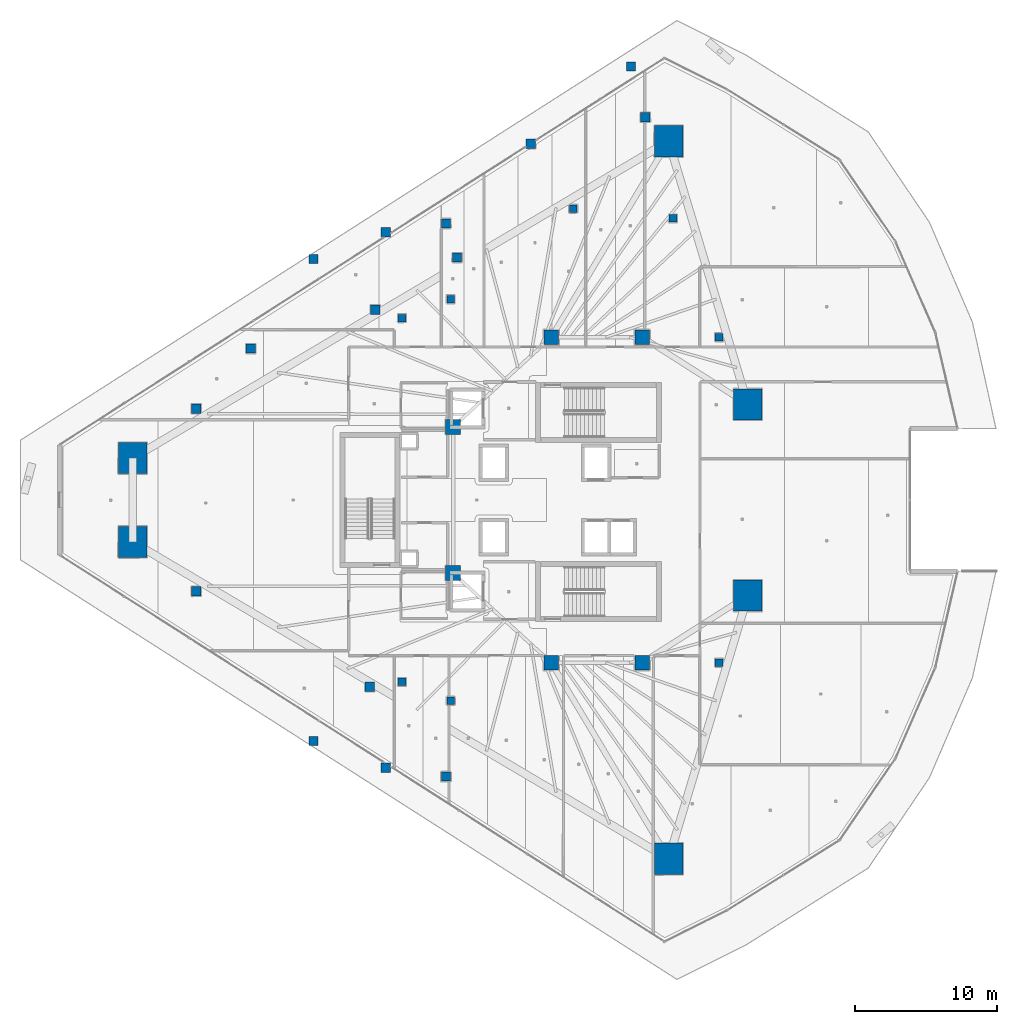
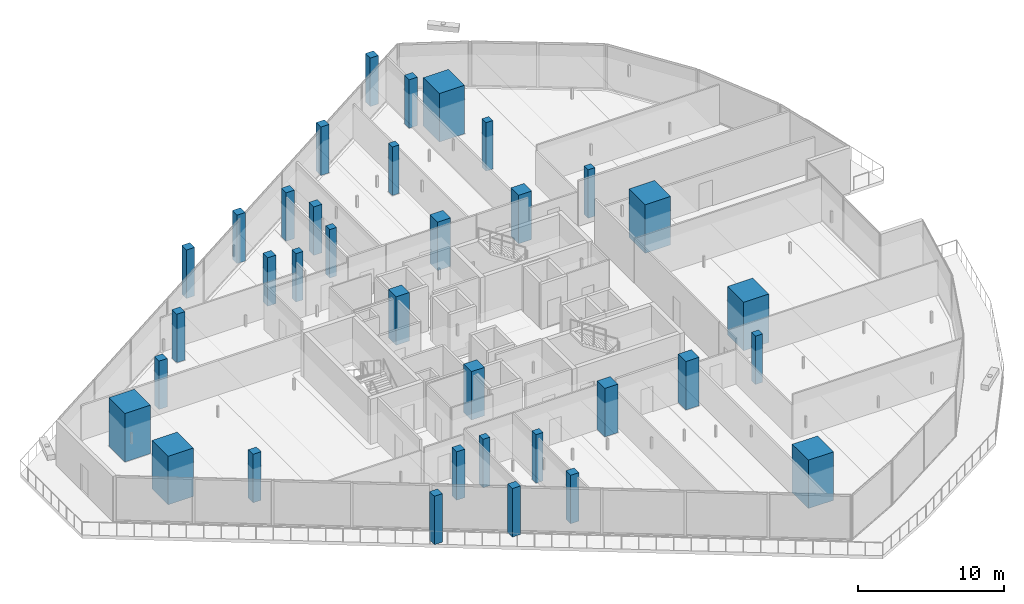
# One storey, part 1 of 44: 35 columns.
"""IFC4 building model written with IfcOpenShell, lengths in metres."""

from ifc_helpers import new_model, si_unit, direction, frame, origin, origin_2d, place, context, subcontext, project, spatial, rectangle, extrude, material, material_profile, profile_set, type_object, element, save


model = new_model("IFC4")

# Units and contexts
model_context = context("Model", 3, precision=1e-05, world=origin(), true_north=direction((0.0, 1.0)))
body_context = subcontext(model_context, "Body", "Model", "MODEL_VIEW")
ifc_project = project(units=[si_unit("LENGTHUNIT", "METRE"), si_unit("AREAUNIT", "SQUARE_METRE"), si_unit("VOLUMEUNIT", "CUBIC_METRE"), si_unit("PLANEANGLEUNIT", "RADIAN"), si_unit("MASSUNIT", "GRAM", prefix="KILO")], contexts=[model_context])

# Site, building, storey
site_placement = place(None, origin())
site = spatial("IfcSite", under=ifc_project, at=site_placement, CompositionType="ELEMENT")
building_placement = place(site_placement, origin())
building = spatial("IfcBuilding", under=site, at=building_placement, Name="Qorvath Tower", CompositionType="ELEMENT")
storey_placement = place(building_placement, frame((0.0, 0.0, 113.85009765625)))
storey = spatial("IfcBuildingStorey", under=building, at=storey_placement, Name="L25", CompositionType="ELEMENT", Elevation=113.85009765625)

# Columns
ifc_material_1 = material(Name="Concrete C70/85", Category="concrete")
ifc_material_profile_1 = material_profile(ifc_material_1, rectangle(XDim=2.0, YDim=2.199951171875, at=origin_2d()), Name="MC 2200x2000")
ifc_profile_set_1 = profile_set([ifc_material_profile_1], Name="Concrete C70/85")
column_type_1 = type_object("IfcColumnType", Name="COL-MC2", PredefinedType="COLUMN", material=ifc_profile_set_1)
for number, where, z_axis, x_axis, name in (
    (1, (-53.04931640625, 2.95068359375, 0.0), (0.0, 0.0, 1.0), (1.0, 0.0, 0.0), "Composite Mega-Column MC1 L25"),
    (2, (-53.04931640625, -2.95068359375, 0.0), (0.0, 0.0, 1.0), (1.0, 0.0, 0.0), "Composite Mega-Column MC2 L25"),
    (3, (-15.34423828125, -25.24609375, 0.0), (0.0, 0.0, 1.0), (1.0, 0.0, 0.0), "Composite Mega-Column MC3 L25"),
    (4, (-9.770263671875, -6.721435546875, 0.0), (0.0, 0.0, 1.0), (1.0, 0.0, 0.0), "Composite Mega-Column MC4 L25"),
    (5, (-9.770263671875, 6.721435546875, 0.0), (0.0, 0.0, 1.0), (1.0, 0.0, 0.0), "Composite Mega-Column MC5 L25"),
    (6, (-15.34423828125, 25.24609375, 0.0), (0.0, 0.0, 1.0), (1.0, 0.0, 0.0), "Composite Mega-Column MC6 L25"),
):
    element("IfcColumn", number, at=place(storey_placement, frame(where, z_axis=z_axis, x_axis=x_axis)), inside=storey, type_object=column_type_1, Name=name, PredefinedType="COLUMN", context=body_context, shape_type="SweptSolid", body=[
        extrude(rectangle(XDim=2.0, YDim=2.199951171875, at=origin_2d()), origin(), (0.0, 0.0, 1.0), 4.0498046875),
    ])
ifc_material_2 = material(Name="Concrete C60/75", Category="concrete")
ifc_material_profile_2 = material_profile(ifc_material_2, rectangle(XDim=1.050048828125, YDim=1.050048828125, at=origin_2d()), Name="RC 1050x1050")
ifc_profile_set_2 = profile_set([ifc_material_profile_2], Name="Concrete C60/75")
column_type_2 = type_object("IfcColumnType", Name="COL-RC2", PredefinedType="COLUMN", material=ifc_profile_set_2)
for number, where, z_axis, x_axis, name in (
    (7, (-23.60009765625, 11.449951171875, 0.0), (0.0, 0.0, 1.0), (1.0, 0.0, 0.0), "Core Spine Column CC1 L25"),
    (8, (-17.199951171875, 11.449951171875, 0.0), (0.0, 0.0, 1.0), (1.0, 0.0, 0.0), "Core Spine Column CC2 L25"),
    (9, (-17.199951171875, -11.449951171875, 0.0), (0.0, 0.0, 1.0), (1.0, 0.0, 0.0), "Core Spine Column CC3 L25"),
    (10, (-23.60009765625, -11.449951171875, 0.0), (0.0, 0.0, 1.0), (1.0, 0.0, 0.0), "Core Spine Column CC4 L25"),
    (11, (-30.5, 5.14990234375, 0.0), (0.0, 0.0, 1.0), (1.0, 0.0, 0.0), "Core Spine Column CC5 L25"),
    (12, (-30.5, -5.14990234375, 0.0), (0.0, 0.0, 1.0), (1.0, 0.0, 0.0), "Core Spine Column CC6 L25"),
):
    element("IfcColumn", number, at=place(storey_placement, frame(where, z_axis=z_axis, x_axis=x_axis)), inside=storey, type_object=column_type_2, Name=name, PredefinedType="COLUMN", context=body_context, shape_type="SweptSolid", body=[
        extrude(rectangle(XDim=1.050048828125, YDim=1.050048828125, at=origin_2d()), origin(), (0.0, 0.0, 1.0), 4.0498046875),
    ])
ifc_material_3 = material(Name="Concrete C45/55", Category="concrete")
ifc_material_profile_3 = material_profile(ifc_material_3, rectangle(XDim=0.64990234375, YDim=0.64990234375, at=origin_2d()), Name="RC 650x650")
ifc_profile_set_3 = profile_set([ifc_material_profile_3], Name="Concrete C45/55")
column_type_3 = type_object("IfcColumnType", Name="COL-RC6", PredefinedType="COLUMN", material=ifc_profile_set_3)
for number, where, z_axis, x_axis, name in (
    (13, (-40.33251953125, 16.955810546875, 0.0), (0.0, 0.0, 1.0), (1.0, 0.0, 0.0), "Loggia Frame Pier Column LGB1 L25"),
    (14, (-40.33251953125, -16.955810546875, 0.0), (0.0, 0.0, 1.0), (1.0, 0.0, 0.0), "Loggia Frame Pier Column LGB2 L25"),
    (15, (-18.0, 30.5, 0.0), (0.0, 0.0, 1.0), (1.0, 0.0, 0.0), "Loggia Frame Pier Column LGB3 L25"),
    (16, (-35.251708984375, 18.829345703125, 0.0), (0.0, 0.0, 1.0), (1.0, 0.0, 0.0), "Loggia Frame Pier Column LGC1 L25"),
    (17, (-35.251708984375, -18.829345703125, 0.0), (0.0, 0.0, 1.0), (1.0, 0.0, 0.0), "Loggia Frame Pier Column LGC2 L25"),
    (18, (-25.03759765625, 25.058837890625, 0.0), (0.0, 0.0, 1.0), (1.0, 0.0, 0.0), "Loggia Frame Pier Column LGC3 L25"),
    (19, (-31.01611328125, 19.46044921875, 0.0), (0.0, 0.0, 1.0), (1.0, 0.0, 0.0), "Loggia Frame Pier Column LGD1 L25"),
    (20, (-31.01611328125, -19.46044921875, 0.0), (0.0, 0.0, 1.0), (1.0, 0.0, 0.0), "Loggia Frame Pier Column LGD2 L25"),
    (21, (-44.736328125, 10.65234375, 0.0), (0.0, 0.0, 1.0), (1.0, 0.0, 0.0), "Loggia Frame Pier Column LGD3 L25"),
    (22, (-48.578369140625, 6.424560546875, 0.0), (0.0, 0.0, 1.0), (1.0, 0.0, 0.0), "Loggia Frame Pier Column LGE1 L25"),
    (23, (-48.578369140625, -6.424560546875, 0.0), (0.0, 0.0, 1.0), (1.0, 0.0, 0.0), "Loggia Frame Pier Column LGE2 L25"),
    (24, (-16.981201171875, 26.92919921875, 0.0), (0.0, 0.0, 1.0), (1.0, 0.0, 0.0), "Loggia Frame Pier Column LGE3 L25"),
    (25, (-35.980712890625, 13.380859375, 0.0), (0.0, 0.0, 1.0), (1.0, 0.0, 0.0), "Loggia Frame Pier Column LGF1 L25"),
    (26, (-36.36474609375, -13.135498046875, 0.0), (0.0, 0.0, 1.0), (1.0, 0.0, 0.0), "Loggia Frame Pier Column LGF2 L25"),
    (27, (-30.224853515625, 17.0595703125, 0.0), (0.0, 0.0, 1.0), (1.0, 0.0, 0.0), "Loggia Frame Pier Column LGF3 L25"),
):
    element("IfcColumn", number, at=place(storey_placement, frame(where, z_axis=z_axis, x_axis=x_axis)), inside=storey, type_object=column_type_3, Name=name, PredefinedType="COLUMN", context=body_context, shape_type="SweptSolid", body=[
        extrude(rectangle(XDim=0.64990234375, YDim=0.64990234375, at=origin_2d()), origin(), (0.0, 0.0, 1.0), 4.0498046875),
    ])
ifc_material_4 = material(Name="Concrete C45/55", Category="concrete")
ifc_material_profile_4 = material_profile(ifc_material_4, rectangle(XDim=0.550048828125, YDim=0.550048828125, at=origin_2d()), Name="RC 550x550")
ifc_profile_set_4 = profile_set([ifc_material_profile_4], Name="Concrete C45/55")
column_type_4 = type_object("IfcColumnType", Name="COL-RC7", PredefinedType="COLUMN", material=ifc_profile_set_4)
for number, where, z_axis, x_axis, name in (
    (28, (-34.104248046875, 12.79248046875, 0.0), (0.0, 0.0, 1.0), (1.0, 0.0, 0.0), "Loggia Frame Pier Column LGG1 L25"),
    (29, (-34.104248046875, -12.79248046875, 0.0), (0.0, 0.0, 1.0), (1.0, 0.0, 0.0), "Loggia Frame Pier Column LGG2 L25"),
    (30, (-22.05322265625, 20.494873046875, 0.0), (0.0, 0.0, 1.0), (1.0, 0.0, 0.0), "Loggia Frame Pier Column LGG3 L25"),
    (31, (-30.67724609375, 14.124267578125, 0.0), (0.0, 0.0, 1.0), (1.0, 0.0, 0.0), "Loggia Frame Pier Column LGH1 L25"),
    (32, (-30.67724609375, -14.124267578125, 0.0), (0.0, 0.0, 1.0), (1.0, 0.0, 0.0), "Loggia Frame Pier Column LGH2 L25"),
    (33, (-15.046142578125, 19.818115234375, 0.0), (0.0, 0.0, 1.0), (1.0, 0.0, 0.0), "Loggia Frame Pier Column LGH3 L25"),
    (34, (-11.800048828125, -11.449951171875, 0.0), (0.0, 0.0, 1.0), (1.0, 0.0, 0.0), "Central Slot Jamb Column SC1 L25"),
    (35, (-11.800048828125, 11.449951171875, 0.0), (0.0, 0.0, 1.0), (1.0, 0.0, 0.0), "Central Slot Jamb Column SC2 L25"),
):
    element("IfcColumn", number, at=place(storey_placement, frame(where, z_axis=z_axis, x_axis=x_axis)), inside=storey, type_object=column_type_4, Name=name, PredefinedType="COLUMN", context=body_context, shape_type="SweptSolid", body=[
        extrude(rectangle(XDim=0.550048828125, YDim=0.550048828125, at=origin_2d()), origin(), (0.0, 0.0, 1.0), 4.0498046875),
    ])

save(model, "model.ifc")
